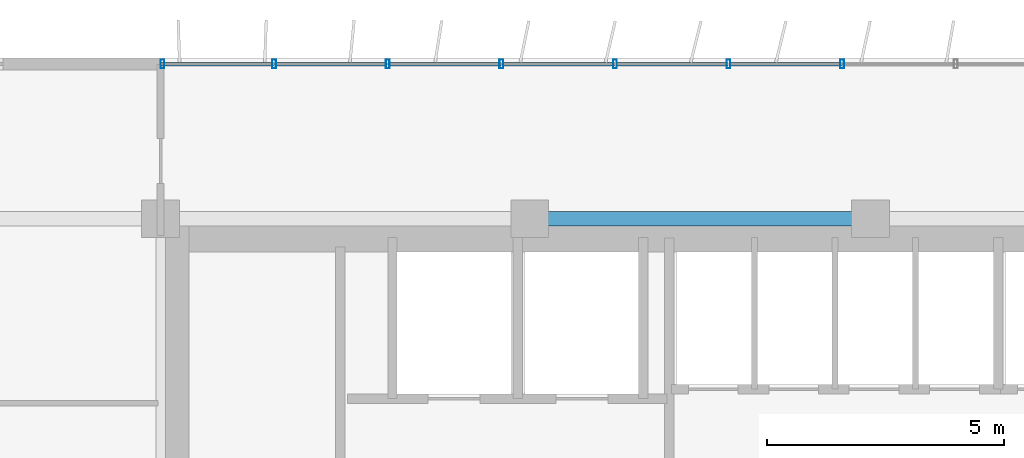
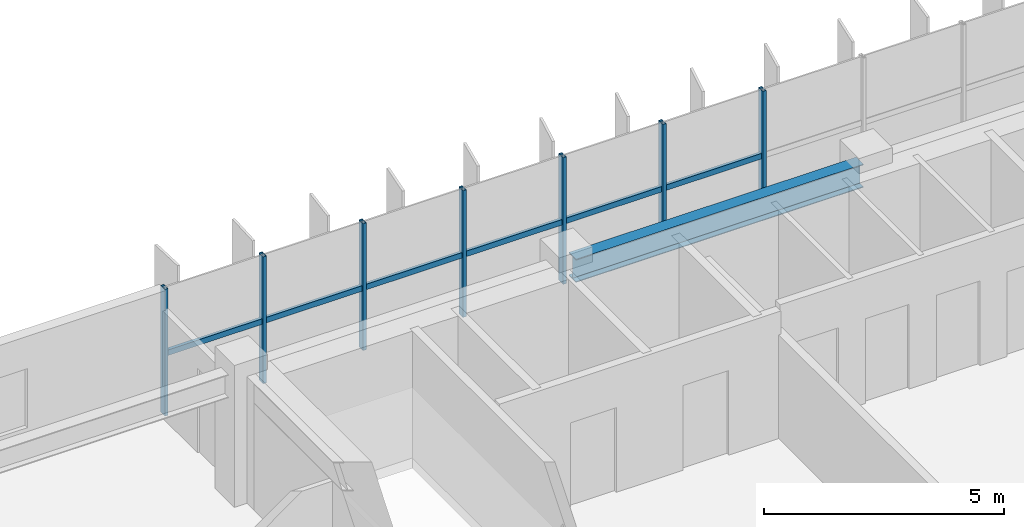
# One storey, part 10 of 26: 13 members, 1 beam, 1 element without a shape of its own.
"""IFC4 building model written with IfcOpenShell, lengths in metres."""

from ifc_helpers import new_model, si_unit, direction, frame, origin, origin_2d, place, context, subcontext, project, spatial, hollow_rectangle, i_section, extrude, source, transform, mapped, material, material_profile, profile_set, type_object, element, aggregate, save


model = new_model("IFC4")

# Units and contexts
model_context = context("Model", 3, precision=1e-05, world=origin(), true_north=direction((0.0, 1.0)))
body_context = subcontext(model_context, "Body", "Model", "MODEL_VIEW")
ifc_project = project(units=[si_unit("LENGTHUNIT", "METRE"), si_unit("AREAUNIT", "SQUARE_METRE"), si_unit("VOLUMEUNIT", "CUBIC_METRE"), si_unit("PLANEANGLEUNIT", "RADIAN"), si_unit("MASSUNIT", "GRAM", prefix="KILO")], contexts=[model_context])

# Site, building, storey
site_placement = place(None, origin())
site = spatial("IfcSite", under=ifc_project, at=site_placement, CompositionType="ELEMENT")
building_placement = place(site_placement, origin())
building = spatial("IfcBuilding", under=site, at=building_placement, Name="Trelvane Seafront Commons", CompositionType="ELEMENT")
storey_placement = place(building_placement, frame((0.0, 0.0, 128.5)))
storey = spatial("IfcBuildingStorey", under=building, at=storey_placement, Name="L33", CompositionType="ELEMENT", Elevation=128.5)

# Beam
ifc_material_1 = material(Name="Steel SM355 (S355)", Category="steel")
ifc_material_profile_1 = material_profile(ifc_material_1, i_section(OverallWidth=0.300048828125, OverallDepth=0.587890625, WebThickness=0.011962890625, FlangeThickness=0.02001953125, at=origin_2d()), Name="H-588x300x12x20")
ifc_profile_set_1 = profile_set([ifc_material_profile_1], Name="Steel SM355 (S355)")
beam_type = type_object("IfcBeamType", Name="STR-BM-H588", PredefinedType="BEAM", material=ifc_profile_set_1)
shared_shape_1 = source(origin(), body_context, "Body", "SweptSolid", [
    extrude(i_section(OverallWidth=0.300048828125, OverallDepth=0.587890625, WebThickness=0.011962890625, FlangeThickness=0.02001953125, at=origin_2d()), origin(), (0.0, 0.0, 1.0), 6.89990234375),
])
beam_placement = place(storey_placement, frame((23.550048828125, 45.10009765625, 2.926025390625), z_axis=(1.0, 0.0, 0.0), x_axis=(0.0, 1.0, 0.0)))
element("IfcBeam", 1, at=beam_placement, inside=storey, type_object=beam_type, Name="L33 Primary Girder G-31", PredefinedType="BEAM", context=body_context, shape_type="MappedRepresentation", body=[
    mapped(shared_shape_1, transform((0.0, 0.0, 0.0), x_axis=(1.0, 0.0, 0.0), y_axis=(0.0, 1.0, 0.0), z_axis=(0.0, 0.0, 1.0), scale=1.0)),
])

# Curtain wall, members
ifc_material_2 = material(Name="Anodised pale-silver aluminium", Category="aluminium")
curtain_wall_type = type_object("IfcCurtainWallType", Name="ARCH-CW4-SKYLOBBY", PredefinedType="NOTDEFINED", material=ifc_material_2)
curtain_wall_placement = place(storey_placement, origin())
curtain_wall = element("IfcCurtainWall", 2, at=curtain_wall_placement, inside=storey, type_object=curtain_wall_type, Name="CW-L33-0059", PredefinedType="NOTDEFINED")
ifc_material_profile_2 = material_profile(ifc_material_2, hollow_rectangle(XDim=0.074951171875, YDim=0.139892578125, WallThickness=0.00390625, at=origin_2d()), Name="TRAN-75x140x4")
ifc_profile_set_2 = profile_set([ifc_material_profile_2], Name="Anodised pale-silver aluminium")
member_type_1 = type_object("IfcMemberType", Name="ARCH-CW-TRAN-140", PredefinedType="USERDEFINED", material=ifc_profile_set_2)
shared_shape_2 = source(origin(), body_context, "Body", "SweptSolid", [
    extrude(hollow_rectangle(XDim=0.074951171875, YDim=0.139892578125, WallThickness=0.00390625, at=origin_2d()), origin(), (0.0, 0.0, 1.0), 2.3759765625),
])
member_1_placement = place(storey_placement, frame((15.612060546875, 48.3701171875, 1.5458984375), z_axis=(1.0, 0.0, 0.0), x_axis=(0.0, 1.0, 0.0)))
member_1 = element("IfcMember", 3, at=member_1_placement, type_object=member_type_1, Name="CW-L33-0059-T00", ObjectType="TRANSOM", PredefinedType="USERDEFINED", context=body_context, shape_type="MappedRepresentation", body=[
    mapped(shared_shape_2, transform((0.0, 0.0, 0.0), x_axis=(1.0, 0.0, 0.0), y_axis=(0.0, 1.0, 0.0), z_axis=(0.0, 0.0, 1.0), scale=1.0)),
])
member_2_placement = place(storey_placement, frame((18.011962890625, 48.3701171875, 1.5458984375), z_axis=(1.0, 0.0, 0.0), x_axis=(0.0, 1.0, 0.0)))
member_2 = element("IfcMember", 4, at=member_2_placement, type_object=member_type_1, Name="CW-L33-0059-T01", ObjectType="TRANSOM", PredefinedType="USERDEFINED", context=body_context, shape_type="MappedRepresentation", body=[
    mapped(shared_shape_2, transform((0.0, 0.0, 0.0), x_axis=(1.0, 0.0, 0.0), y_axis=(0.0, 1.0, 0.0), z_axis=(0.0, 0.0, 1.0), scale=1.0)),
])
member_3_placement = place(storey_placement, frame((20.412109375, 48.3701171875, 1.5458984375), z_axis=(1.0, 0.0, 0.0), x_axis=(0.0, 1.0, 0.0)))
member_3 = element("IfcMember", 5, at=member_3_placement, type_object=member_type_1, Name="CW-L33-0059-T02", ObjectType="TRANSOM", PredefinedType="USERDEFINED", context=body_context, shape_type="MappedRepresentation", body=[
    mapped(shared_shape_2, transform((0.0, 0.0, 0.0), x_axis=(1.0, 0.0, 0.0), y_axis=(0.0, 1.0, 0.0), z_axis=(0.0, 0.0, 1.0), scale=1.0)),
])
member_4_placement = place(storey_placement, frame((22.81201171875, 48.3701171875, 1.5458984375), z_axis=(1.0, 0.0, 0.0), x_axis=(0.0, 1.0, 0.0)))
member_4 = element("IfcMember", 6, at=member_4_placement, type_object=member_type_1, Name="CW-L33-0059-T03", ObjectType="TRANSOM", PredefinedType="USERDEFINED", context=body_context, shape_type="MappedRepresentation", body=[
    mapped(shared_shape_2, transform((0.0, 0.0, 0.0), x_axis=(1.0, 0.0, 0.0), y_axis=(0.0, 1.0, 0.0), z_axis=(0.0, 0.0, 1.0), scale=1.0)),
])
member_5_placement = place(storey_placement, frame((25.2119140625, 48.3701171875, 1.5458984375), z_axis=(1.0, 0.0, 0.0), x_axis=(0.0, 1.0, 0.0)))
member_5 = element("IfcMember", 7, at=member_5_placement, type_object=member_type_1, Name="CW-L33-0059-T04", ObjectType="TRANSOM", PredefinedType="USERDEFINED", context=body_context, shape_type="MappedRepresentation", body=[
    mapped(shared_shape_2, transform((0.0, 0.0, 0.0), x_axis=(1.0, 0.0, 0.0), y_axis=(0.0, 1.0, 0.0), z_axis=(0.0, 0.0, 1.0), scale=1.0)),
])
member_6_placement = place(storey_placement, frame((27.612060546875, 48.3701171875, 1.5458984375), z_axis=(1.0, 0.0, 0.0), x_axis=(0.0, 1.0, 0.0)))
member_6 = element("IfcMember", 8, at=member_6_placement, type_object=member_type_1, Name="CW-L33-0059-T05", ObjectType="TRANSOM", PredefinedType="USERDEFINED", context=body_context, shape_type="MappedRepresentation", body=[
    mapped(shared_shape_2, transform((0.0, 0.0, 0.0), x_axis=(1.0, 0.0, 0.0), y_axis=(0.0, 1.0, 0.0), z_axis=(0.0, 0.0, 1.0), scale=1.0)),
])
ifc_material_profile_3 = material_profile(ifc_material_2, hollow_rectangle(XDim=0.080078125, YDim=0.179931640625, WallThickness=0.00439453125, at=origin_2d()), Name="MULL-80x180x4.5")
ifc_profile_set_3 = profile_set([ifc_material_profile_3], Name="Anodised pale-silver aluminium")
member_type_2 = type_object("IfcMemberType", Name="ARCH-CW-MULL-180", PredefinedType="MULLION", material=ifc_profile_set_3)
shared_shape_3 = source(origin(), body_context, "Body", "SweptSolid", [
    extrude(hollow_rectangle(XDim=0.080078125, YDim=0.179931640625, WallThickness=0.00439453125, at=origin_2d()), origin(), (0.0, 0.0, 1.0), 3.219970703125),
])
member_7_placement = place(storey_placement, frame((15.639892578125, 48.3701171875, 0.0), z_axis=(0.0, 0.0, 1.0), x_axis=(1.0, 0.0, 0.0)))
member_7 = element("IfcMember", 9, at=member_7_placement, type_object=member_type_2, Name="CW-L33-0059-M00", PredefinedType="MULLION", context=body_context, shape_type="MappedRepresentation", body=[
    mapped(shared_shape_3, transform((0.0, 0.0, 0.0), x_axis=(1.0, 0.0, 0.0), y_axis=(0.0, 1.0, 0.0), z_axis=(0.0, 0.0, 1.0), scale=1.0)),
])
member_8_placement = place(storey_placement, frame((18.0, 48.3701171875, 0.0), z_axis=(0.0, 0.0, 1.0), x_axis=(1.0, 0.0, 0.0)))
member_8 = element("IfcMember", 10, at=member_8_placement, type_object=member_type_2, Name="CW-L33-0059-M01", PredefinedType="MULLION", context=body_context, shape_type="MappedRepresentation", body=[
    mapped(shared_shape_3, transform((0.0, 0.0, 0.0), x_axis=(1.0, 0.0, 0.0), y_axis=(0.0, 1.0, 0.0), z_axis=(0.0, 0.0, 1.0), scale=1.0)),
])
member_9_placement = place(storey_placement, frame((20.39990234375, 48.3701171875, 0.0), z_axis=(0.0, 0.0, 1.0), x_axis=(1.0, 0.0, 0.0)))
member_9 = element("IfcMember", 11, at=member_9_placement, type_object=member_type_2, Name="CW-L33-0059-M02", PredefinedType="MULLION", context=body_context, shape_type="MappedRepresentation", body=[
    mapped(shared_shape_3, transform((0.0, 0.0, 0.0), x_axis=(1.0, 0.0, 0.0), y_axis=(0.0, 1.0, 0.0), z_axis=(0.0, 0.0, 1.0), scale=1.0)),
])
member_10_placement = place(storey_placement, frame((22.800048828125, 48.3701171875, 0.0), z_axis=(0.0, 0.0, 1.0), x_axis=(1.0, 0.0, 0.0)))
member_10 = element("IfcMember", 12, at=member_10_placement, type_object=member_type_2, Name="CW-L33-0059-M03", PredefinedType="MULLION", context=body_context, shape_type="MappedRepresentation", body=[
    mapped(shared_shape_3, transform((0.0, 0.0, 0.0), x_axis=(1.0, 0.0, 0.0), y_axis=(0.0, 1.0, 0.0), z_axis=(0.0, 0.0, 1.0), scale=1.0)),
])
member_11_placement = place(storey_placement, frame((25.199951171875, 48.3701171875, 0.0), z_axis=(0.0, 0.0, 1.0), x_axis=(1.0, 0.0, 0.0)))
member_11 = element("IfcMember", 13, at=member_11_placement, type_object=member_type_2, Name="CW-L33-0059-M04", PredefinedType="MULLION", context=body_context, shape_type="MappedRepresentation", body=[
    mapped(shared_shape_3, transform((0.0, 0.0, 0.0), x_axis=(1.0, 0.0, 0.0), y_axis=(0.0, 1.0, 0.0), z_axis=(0.0, 0.0, 1.0), scale=1.0)),
])
member_12_placement = place(storey_placement, frame((27.60009765625, 48.3701171875, 0.0), z_axis=(0.0, 0.0, 1.0), x_axis=(1.0, 0.0, 0.0)))
member_12 = element("IfcMember", 14, at=member_12_placement, type_object=member_type_2, Name="CW-L33-0059-M05", PredefinedType="MULLION", context=body_context, shape_type="MappedRepresentation", body=[
    mapped(shared_shape_3, transform((0.0, 0.0, 0.0), x_axis=(1.0, 0.0, 0.0), y_axis=(0.0, 1.0, 0.0), z_axis=(0.0, 0.0, 1.0), scale=1.0)),
])
member_13_placement = place(storey_placement, frame((30.0, 48.3701171875, 0.0), z_axis=(0.0, 0.0, 1.0), x_axis=(1.0, 0.0, 0.0)))
member_13 = element("IfcMember", 15, at=member_13_placement, type_object=member_type_2, Name="CW-L33-0059-M06", PredefinedType="MULLION", context=body_context, shape_type="MappedRepresentation", body=[
    mapped(shared_shape_3, transform((0.0, 0.0, 0.0), x_axis=(1.0, 0.0, 0.0), y_axis=(0.0, 1.0, 0.0), z_axis=(0.0, 0.0, 1.0), scale=1.0)),
])
aggregate(curtain_wall, [member_7, member_8, member_9, member_10, member_11, member_12, member_13, member_1, member_2, member_3, member_4, member_5, member_6])

save(model, "model.ifc")
